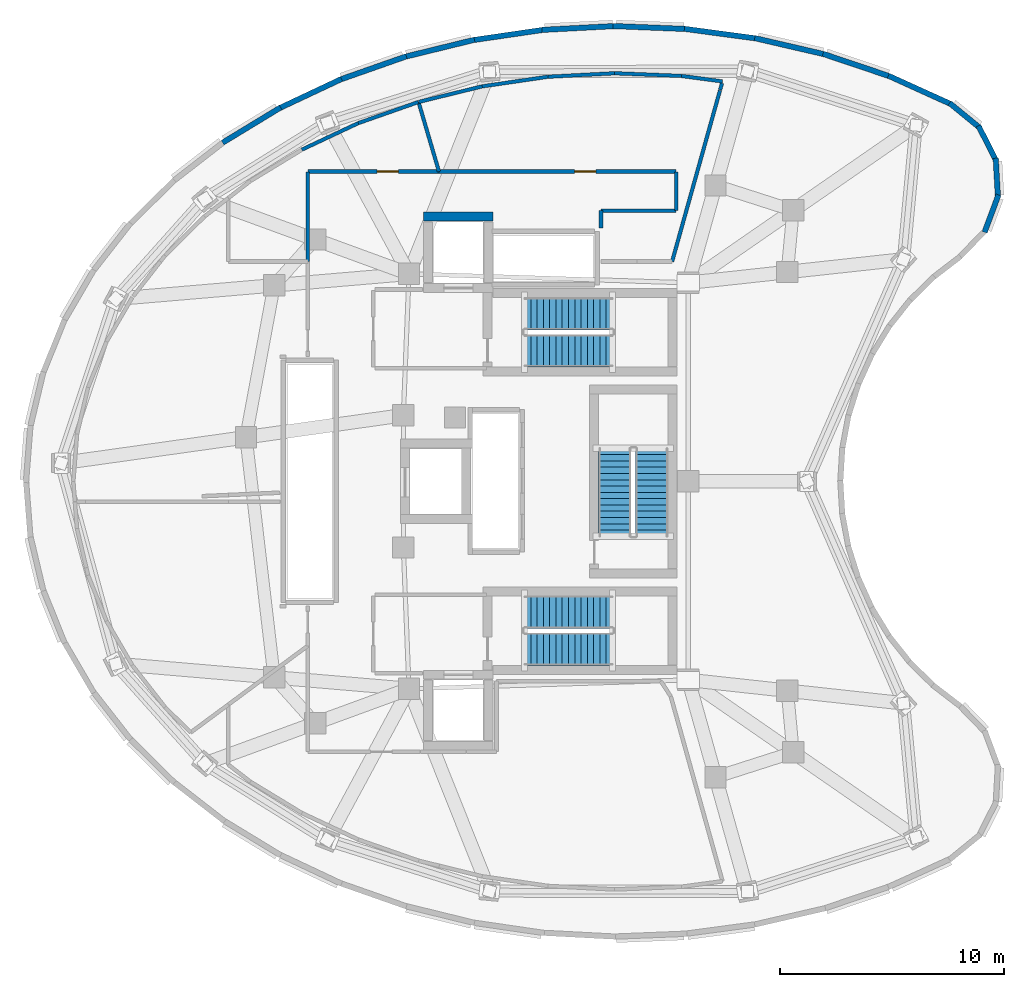
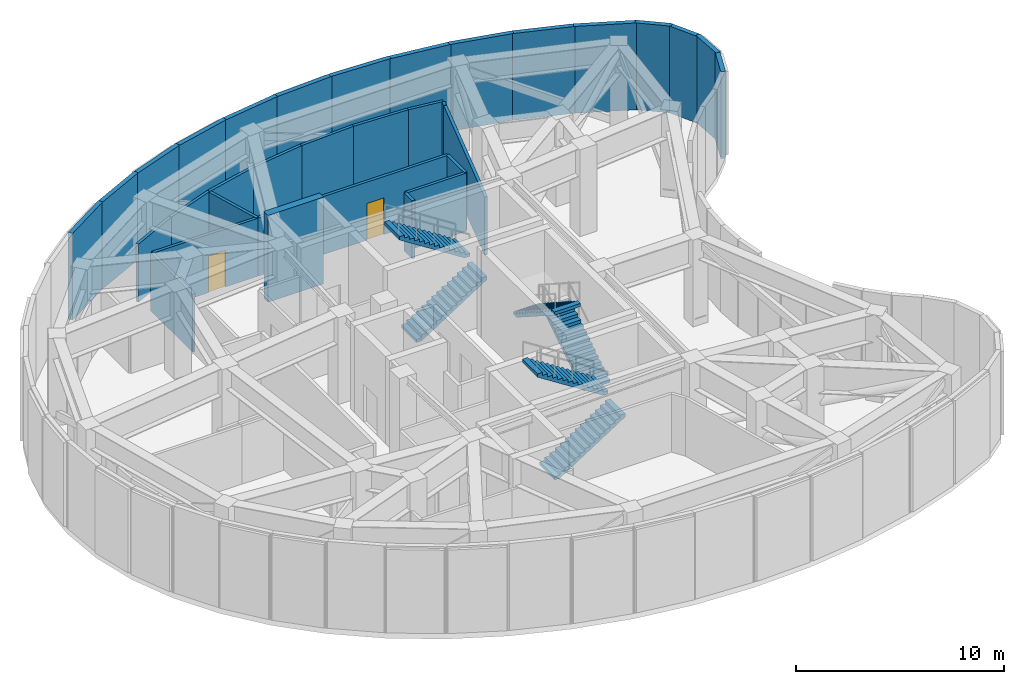
# One storey, part 6 of 9: 32 walls, 6 stair flights, 2 doors, 2 openings, 3 elements without a shape of their own.
"""IFC4 building model written with IfcOpenShell, lengths in metres."""

from ifc_helpers import new_model, si_unit, direction, frame, frame_2d, origin, place, context, subcontext, project, spatial, polyline, rectangle, outline, extrude, material, layer, layer_set, type_object, element, fill, aggregate, save


model = new_model("IFC4")

# Units and contexts
model_context = context("Model", 3, precision=1e-05, world=origin(), true_north=direction((0.0, 1.0)))
body_context = subcontext(model_context, "Body", "Model", "MODEL_VIEW")
ifc_project = project(units=[si_unit("LENGTHUNIT", "METRE"), si_unit("AREAUNIT", "SQUARE_METRE"), si_unit("VOLUMEUNIT", "CUBIC_METRE"), si_unit("PLANEANGLEUNIT", "RADIAN"), si_unit("MASSUNIT", "GRAM", prefix="KILO")], contexts=[model_context])

# Site, building, storey
site_placement = place(None, origin())
site = spatial("IfcSite", under=ifc_project, at=site_placement, CompositionType="ELEMENT")
building_placement = place(site_placement, origin())
building = spatial("IfcBuilding", under=site, at=building_placement, Name="Korentha Bioscience Tower", CompositionType="ELEMENT")
storey_placement = place(building_placement, frame((0.0, 0.0, 277.199951171875)))
storey = spatial("IfcBuildingStorey", under=building, at=storey_placement, Name="L64", CompositionType="ELEMENT", Elevation=277.199951171875)

# Wall, opening, door
ifc_material_1 = material(Name="Gypsum-Clad Steel Stud", Category="steel")
ifc_layer_1 = layer(ifc_material_1, 0.159912109375, Name="Gypsum-Clad Steel Stud")
ifc_layer_set_1 = layer_set([ifc_layer_1], Name="Gypsum-Clad Steel Stud (IW-C160)")
wall_type_1 = type_object("IfcWallType", Name="Fire-Rated Corridor Partition Wall 160", PredefinedType="PARTITIONING", material=ifc_layer_set_1)
wall_1_placement = place(storey_placement, frame((37.0, 40.81005859375, 0.0), z_axis=(0.0, 0.0, 1.0), x_axis=(-1.0, 0.0, 0.0)))
wall_1 = element("IfcWall", 1, at=wall_1_placement, inside=storey, type_object=wall_type_1, Name="L64 Domestic and Fire Booster Water Pump Plant 03 Entrance Wall", PredefinedType="PARTITIONING", context=body_context, shape_type="SweptSolid", body=[
    extrude(rectangle(XDim=10.5625, YDim=0.159912109375, at=frame_2d((5.28125, 0.0))), origin(), (0.0, 0.0, 1.0), 3.41015625),
])
opening_1_placement = place(wall_1_placement, frame((3.570068359375, 0.0, 0.0)))
opening_1 = element("IfcOpeningElement", 2, at=opening_1_placement, cuts=wall_1, Name="Opening FD-120D", PredefinedType="OPENING", context=body_context, shape_type="SweptSolid", body=[
    extrude(rectangle(XDim=0.949951171875, YDim=2.14990234375, at=frame_2d((0.47509765625, 1.074951171875))), frame((0.0, 0.0947265625, 0.0), z_axis=(0.0, -1.0, 0.0), x_axis=(1.0, 0.0, 0.0)), (0.0, 0.0, 1.0), 0.189697265625),
])
ifc_material_2 = material(Name="Heavy-Duty Insulated Steel", Category="steel")
door_type = type_object("IfcDoorType", Name="Plant & Riser Fire Door 950x2150 Left", OperationType="SINGLE_SWING_LEFT", PredefinedType="DOOR", material=ifc_material_2)
door_1_placement = place(opening_1_placement, origin())
door_1 = element("IfcDoor", 3, at=door_1_placement, inside=storey, type_object=door_type, Name="L64 Domestic and Fire Booster Water Pump Plant 03 Door", OperationType="SINGLE_SWING_LEFT", OverallHeight=2.14990234375, OverallWidth=0.949951171875, PredefinedType="DOOR", context=body_context, shape_type="SweptSolid", body=[
    extrude(rectangle(XDim=0.949951171875, YDim=2.14990234375, at=frame_2d((0.47509765625, 1.074951171875))), frame((0.0, 0.02490234375, 0.0), z_axis=(0.0, -1.0, 0.0), x_axis=(1.0, 0.0, 0.0)), (0.0, 0.0, 1.0), 0.050048828125),
])
fill(opening_1, door_1)

wall_2_placement = place(storey_placement, frame((26.42724609375, 40.81005859375, 0.0), z_axis=(0.0, 0.0, 1.0), x_axis=(-1.0, 0.0, 0.0)))
wall_2 = element("IfcWall", 4, at=wall_2_placement, inside=storey, type_object=wall_type_1, Name="L64 Refuge Safe Holding Room Entrance Wall", PredefinedType="PARTITIONING", context=body_context, shape_type="SweptSolid", body=[
    extrude(rectangle(XDim=5.8271484375, YDim=0.159912109375, at=frame_2d((2.91357421875, 0.0))), origin(), (0.0, 0.0, 1.0), 3.41015625),
])
opening_2_placement = place(wall_2_placement, frame((1.797119140625, 0.0, 0.0)))
opening_2 = element("IfcOpeningElement", 5, at=opening_2_placement, cuts=wall_2, Name="Opening FD-120D", PredefinedType="OPENING", context=body_context, shape_type="SweptSolid", body=[
    extrude(rectangle(XDim=0.949951171875, YDim=2.14990234375, at=frame_2d((0.47509765625, 1.074951171875))), frame((0.0, 0.0947265625, 0.0), z_axis=(0.0, -1.0, 0.0), x_axis=(1.0, 0.0, 0.0)), (0.0, 0.0, 1.0), 0.189697265625),
])
door_2_placement = place(opening_2_placement, origin())
door_2 = element("IfcDoor", 6, at=door_2_placement, inside=storey, type_object=door_type, Name="L64 Refuge Safe Holding Room Door", OperationType="SINGLE_SWING_LEFT", OverallHeight=2.14990234375, OverallWidth=0.949951171875, PredefinedType="DOOR", context=body_context, shape_type="SweptSolid", body=[
    extrude(rectangle(XDim=0.949951171875, YDim=2.14990234375, at=frame_2d((0.47509765625, 1.074951171875))), frame((0.0, 0.02490234375, 0.0), z_axis=(0.0, -1.0, 0.0), x_axis=(1.0, 0.0, 0.0)), (0.0, 0.0, 1.0), 0.050048828125),
])
fill(opening_2, door_2)

# Walls
wall_3_placement = place(storey_placement, frame((25.53173828125, 43.913330078125, 0.0), z_axis=(0.0, 0.0, 1.0), x_axis=(0.971298495948, 0.23786389337, 0.0)))
element("IfcWall", 7, at=wall_3_placement, inside=storey, type_object=wall_type_1, Name="L64 Interior Partition 037", PredefinedType="PARTITIONING", context=body_context, shape_type="SweptSolid", body=[
    extrude(rectangle(XDim=2.916015625, YDim=0.159912109375, at=frame_2d((1.4580078125, 0.0))), origin(), (0.0, 0.0, 1.0), 3.41015625),
])
wall_4_placement = place(storey_placement, frame((28.3642578125, 44.60693359375, 0.0), z_axis=(0.0, 0.0, 1.0), x_axis=(0.989458468806, 0.144816913748, 0.0)))
element("IfcWall", 8, at=wall_4_placement, inside=storey, type_object=wall_type_1, Name="L64 Interior Partition 038", PredefinedType="PARTITIONING", context=body_context, shape_type="SweptSolid", body=[
    extrude(rectangle(XDim=2.958740234375, YDim=0.159912109375, at=frame_2d((1.4794921875, 0.0))), origin(), (0.0, 0.0, 1.0), 3.41015625),
])
wall_5_placement = place(storey_placement, frame((31.2919921875, 45.035400390625, 0.0), z_axis=(0.0, 0.0, 1.0), x_axis=(0.998634293536, 0.052245074151, 0.0)))
element("IfcWall", 9, at=wall_5_placement, inside=storey, type_object=wall_type_1, Name="L64 Interior Partition 039", PredefinedType="PARTITIONING", context=body_context, shape_type="SweptSolid", body=[
    extrude(rectangle(XDim=2.9814453125, YDim=0.159912109375, at=frame_2d((1.49072265625, 0.0))), origin(), (0.0, 0.0, 1.0), 3.41015625),
])
wall_6_placement = place(storey_placement, frame((34.269287109375, 45.191162109375, 0.0), z_axis=(0.0, 0.0, 1.0), x_axis=(0.999188752092, -0.040272046042, 0.0)))
element("IfcWall", 10, at=wall_6_placement, inside=storey, type_object=wall_type_1, Name="L64 Interior Partition 040", PredefinedType="PARTITIONING", context=body_context, shape_type="SweptSolid", body=[
    extrude(rectangle(XDim=2.982666015625, YDim=0.159912109375, at=frame_2d((1.4912109375, 0.0))), origin(), (0.0, 0.0, 1.0), 3.41015625),
])
wall_7_placement = place(storey_placement, frame((37.249755859375, 45.07080078125, 0.0), z_axis=(0.0, 0.0, 1.0), x_axis=(0.991157137256, -0.132693365573, 0.0)))
element("IfcWall", 11, at=wall_7_placement, inside=storey, type_object=wall_type_1, Name="L64 Interior Partition 041", PredefinedType="PARTITIONING", context=body_context, shape_type="SweptSolid", body=[
    extrude(rectangle(XDim=1.841796875, YDim=0.159912109375, at=frame_2d((0.9208984375, 0.0))), origin(), (0.0, 0.0, 1.0), 3.41015625),
])
wall_8_placement = place(storey_placement, frame((39.052734375, 44.74560546875, 0.0), z_axis=(0.0, 0.0, 1.0), x_axis=(-0.269862027116, -0.962899001101, 0.0)))
element("IfcWall", 12, at=wall_8_placement, inside=storey, type_object=wall_type_1, Name="L64 Interior Partition 042", PredefinedType="PARTITIONING", context=body_context, shape_type="SweptSolid", body=[
    extrude(rectangle(XDim=0.31201171875, YDim=0.159912109375, at=frame_2d((0.156005859375, 0.0))), origin(), (0.0, 0.0, 1.0), 3.41015625),
])
wall_9_placement = place(storey_placement, frame((38.96240234375, 44.423095703125, 0.0), z_axis=(0.0, 0.0, 1.0), x_axis=(-0.269473155441, -0.963007901575, 0.0)))
element("IfcWall", 13, at=wall_9_placement, inside=storey, type_object=wall_type_1, Name="L64 Interior Partition 043", PredefinedType="PARTITIONING", context=body_context, shape_type="SweptSolid", body=[
    extrude(rectangle(XDim=7.913818359375, YDim=0.159912109375, at=frame_2d((3.95703125, 0.0))), origin(), (0.0, 0.0, 1.0), 3.41015625),
])
wall_10_placement = place(storey_placement, frame((33.659912109375, 38.2900390625, 0.0), z_axis=(0.0, 0.0, 1.0), x_axis=(0.0, 1.0, 0.0)))
element("IfcWall", 14, at=wall_10_placement, inside=storey, type_object=wall_type_1, Name="L64 Interior Partition 046", PredefinedType="PARTITIONING", context=body_context, shape_type="SweptSolid", body=[
    extrude(rectangle(XDim=0.780029296875, YDim=0.159912109375, at=frame_2d((0.39013671875, 0.0))), origin(), (0.0, 0.0, 1.0), 3.41015625),
])
wall_11_placement = place(storey_placement, frame((33.659912109375, 39.070068359375, 0.0), z_axis=(0.0, 0.0, 1.0), x_axis=(1.0, 0.0, 0.0)))
element("IfcWall", 15, at=wall_11_placement, inside=storey, type_object=wall_type_1, Name="L64 Interior Partition 047", PredefinedType="PARTITIONING", context=body_context, shape_type="SweptSolid", body=[
    extrude(rectangle(XDim=3.340087890625, YDim=0.159912109375, at=frame_2d((1.669921875, 0.0))), origin(), (0.0, 0.0, 1.0), 3.41015625),
])
wall_12_placement = place(storey_placement, frame((37.010009765625, 39.080078125, 0.0), z_axis=(0.0, 0.0, 1.0), x_axis=(0.0, 1.0, 0.0)))
element("IfcWall", 16, at=wall_12_placement, inside=storey, type_object=wall_type_1, Name="L64 Interior Partition 048", PredefinedType="PARTITIONING", context=body_context, shape_type="SweptSolid", body=[
    extrude(rectangle(XDim=1.719970703125, YDim=0.159912109375, at=frame_2d((0.85986328125, 0.0))), origin(), (0.0, 0.0, 1.0), 3.41015625),
])
wall_13_placement = place(storey_placement, frame((26.4375, 40.81005859375, 0.0), z_axis=(0.0, 0.0, 1.0), x_axis=(-0.282333978725, 0.959316175438, 0.0)))
element("IfcWall", 17, at=wall_13_placement, inside=storey, type_object=wall_type_1, Name="L64 Interior Partition 049", PredefinedType="PARTITIONING", context=body_context, shape_type="SweptSolid", body=[
    extrude(rectangle(XDim=3.232421875, YDim=0.159912109375, at=frame_2d((1.6162109375, 0.0))), origin(), (0.0, 0.0, 1.0), 3.41015625),
])
wall_14_placement = place(storey_placement, frame((20.32568359375, 41.7861328125, 0.0), z_axis=(0.0, 0.0, 1.0), x_axis=(0.904997973685, 0.425415876087, 0.0)))
element("IfcWall", 18, at=wall_14_placement, inside=storey, type_object=wall_type_1, Name="L64 Interior Partition 050", PredefinedType="PARTITIONING", context=body_context, shape_type="SweptSolid", body=[
    extrude(rectangle(XDim=2.7763671875, YDim=0.159912109375, at=frame_2d((1.38818359375, 0.0))), origin(), (0.0, 0.0, 1.0), 3.41015625),
])
wall_15_placement = place(storey_placement, frame((22.83837890625, 42.96728515625, 0.0), z_axis=(0.0, 0.0, 1.0), x_axis=(0.943475411787, 0.331442524962, 0.0)))
element("IfcWall", 19, at=wall_15_placement, inside=storey, type_object=wall_type_1, Name="L64 Interior Partition 051", PredefinedType="PARTITIONING", context=body_context, shape_type="SweptSolid", body=[
    extrude(rectangle(XDim=2.83740234375, YDim=0.159912109375, at=frame_2d((1.418701171875, 0.0))), origin(), (0.0, 0.0, 1.0), 3.41015625),
])
wall_16_placement = place(storey_placement, frame((20.590087890625, 40.800048828125, 0.0), z_axis=(0.0, 0.0, 1.0), x_axis=(0.0, -1.0, 0.0)))
element("IfcWall", 20, at=wall_16_placement, inside=storey, type_object=wall_type_1, Name="L64 Interior Partition 052", PredefinedType="PARTITIONING", context=body_context, shape_type="SweptSolid", body=[
    extrude(rectangle(XDim=3.998046875, YDim=0.159912109375, at=frame_2d((1.9990234375, 0.0))), origin(), (0.0, 0.0, 1.0), 3.41015625),
])
ifc_material_3 = material(Name="Concrete C65", Category="concrete")
ifc_layer_2 = layer(ifc_material_3, 0.39990234375, Name="Concrete C65")
ifc_layer_set_2 = layer_set([ifc_layer_2], Name="Concrete C65 (CW-C65)")
wall_type_2 = type_object("IfcWallType", Name="Mid-Rise Core Shear Wall 400", PredefinedType="SHEAR", material=ifc_layer_set_2)
wall_17_placement = place(storey_placement, frame((25.75, 38.800048828125, 0.0), z_axis=(0.0, 0.0, 1.0), x_axis=(1.0, 0.0, 0.0)))
element("IfcWall", 21, at=wall_17_placement, inside=storey, type_object=wall_type_2, Name="L64 Core Shear Wall FFL2-N", PredefinedType="SHEAR", context=body_context, shape_type="SweptSolid", body=[
    extrude(rectangle(XDim=3.10009765625, YDim=0.39990234375, at=frame_2d((1.550048828125, 0.0))), origin(), (0.0, 0.0, 1.0), 5.10009765625),
])
ifc_material_4 = material(Name="Insulated Precast Concrete C40", Category="concrete")
ifc_layer_3 = layer(ifc_material_4, 0.239990234375, Name="Insulated Precast Concrete C40")
ifc_layer_set_3 = layer_set([ifc_layer_3], Name="Insulated Precast Concrete C40 (EW-PL240)")
wall_type_3 = type_object("IfcWallType", Name="Plant Acoustic Louvre Backup Wall 240", PredefinedType="STANDARD", material=ifc_layer_set_3)
wall_18_placement = place(storey_placement, frame((49.30615234375, 43.794189453125, 0.0), z_axis=(0.0, 0.0, 1.0), x_axis=(-0.910602355957, 0.413283618507, 0.0)))
element("IfcWall", 22, at=wall_18_placement, inside=storey, type_object=wall_type_3, Name="L64 Plant Louvre Backup Wall 01", PredefinedType="STANDARD", context=body_context, shape_type="SweptSolid", body=[
    extrude(rectangle(XDim=3.1171875, YDim=0.239990234375, at=frame_2d((1.55859375, 0.0))), origin(), (0.0, 0.0, 1.0), 5.10009765625),
])
wall_19_placement = place(storey_placement, frame((46.57177734375, 45.041259765625, 0.0), z_axis=(0.0, 0.0, 1.0), x_axis=(-0.947650735005, 0.319308760363, 0.0)))
element("IfcWall", 23, at=wall_19_placement, inside=storey, type_object=wall_type_3, Name="L64 Plant Louvre Backup Wall 02", PredefinedType="STANDARD", context=body_context, shape_type="SweptSolid", body=[
    extrude(rectangle(XDim=3.183837890625, YDim=0.239990234375, at=frame_2d((1.591796875, 0.0))), origin(), (0.0, 0.0, 1.0), 5.10009765625),
])
wall_20_placement = place(storey_placement, frame((43.662109375, 46.027587890625, 0.0), z_axis=(0.0, 0.0, 1.0), x_axis=(-0.974187340975, 0.225741056707, 0.0)))
element("IfcWall", 24, at=wall_20_placement, inside=storey, type_object=wall_type_3, Name="L64 Plant Louvre Backup Wall 03", PredefinedType="STANDARD", context=body_context, shape_type="SweptSolid", body=[
    extrude(rectangle(XDim=3.23583984375, YDim=0.239990234375, at=frame_2d((1.617919921875, 0.0))), origin(), (0.0, 0.0, 1.0), 5.10009765625),
])
wall_21_placement = place(storey_placement, frame((40.619140625, 46.738037109375, 0.0), z_axis=(0.0, 0.0, 1.0), x_axis=(-0.991137726176, 0.13283827668, 0.0)))
element("IfcWall", 25, at=wall_21_placement, inside=storey, type_object=wall_type_3, Name="L64 Plant Louvre Backup Wall 04", PredefinedType="STANDARD", context=body_context, shape_type="SweptSolid", body=[
    extrude(rectangle(XDim=3.271484375, YDim=0.239990234375, at=frame_2d((1.6357421875, 0.0))), origin(), (0.0, 0.0, 1.0), 5.10009765625),
])
wall_22_placement = place(storey_placement, frame((37.4873046875, 47.1630859375, 0.0), z_axis=(0.0, 0.0, 1.0), x_axis=(-0.999190250472, 0.040234852582, 0.0)))
element("IfcWall", 26, at=wall_22_placement, inside=storey, type_object=wall_type_3, Name="L64 Plant Louvre Backup Wall 05", PredefinedType="STANDARD", context=body_context, shape_type="SweptSolid", body=[
    extrude(rectangle(XDim=3.288818359375, YDim=0.239990234375, at=frame_2d((1.64453125, 0.0))), origin(), (0.0, 0.0, 1.0), 5.10009765625),
])
wall_23_placement = place(storey_placement, frame((34.312255859375, 47.296142578125, 0.0), z_axis=(0.0, 0.0, 1.0), x_axis=(-0.998636433691, -0.052204150274, 0.0)))
element("IfcWall", 27, at=wall_23_placement, inside=storey, type_object=wall_type_3, Name="L64 Plant Louvre Backup Wall 06", PredefinedType="STANDARD", context=body_context, shape_type="SweptSolid", body=[
    extrude(rectangle(XDim=3.28759765625, YDim=0.239990234375, at=frame_2d((1.643798828125, 0.0))), origin(), (0.0, 0.0, 1.0), 5.10009765625),
])
wall_24_placement = place(storey_placement, frame((31.139404296875, 47.135498046875, 0.0), z_axis=(0.0, 0.0, 1.0), x_axis=(-0.989461064134, -0.144799180117, 0.0)))
element("IfcWall", 28, at=wall_24_placement, inside=storey, type_object=wall_type_3, Name="L64 Plant Louvre Backup Wall 07", PredefinedType="STANDARD", context=body_context, shape_type="SweptSolid", body=[
    extrude(rectangle(XDim=3.267578125, YDim=0.239990234375, at=frame_2d((1.6337890625, 0.0))), origin(), (0.0, 0.0, 1.0), 5.10009765625),
])
wall_25_placement = place(storey_placement, frame((28.015380859375, 46.68359375, 0.0), z_axis=(0.0, 0.0, 1.0), x_axis=(-0.971313704184, -0.237801783141, 0.0)))
element("IfcWall", 29, at=wall_25_placement, inside=storey, type_object=wall_type_3, Name="L64 Plant Louvre Backup Wall 08", PredefinedType="STANDARD", context=body_context, shape_type="SweptSolid", body=[
    extrude(rectangle(XDim=3.22998046875, YDim=0.239990234375, at=frame_2d((1.614990234375, 0.0))), origin(), (0.0, 0.0, 1.0), 5.10009765625),
])
wall_26_placement = place(storey_placement, frame((24.985107421875, 45.947265625, 0.0), z_axis=(0.0, 0.0, 1.0), x_axis=(-0.943487427594, -0.331408319104, 0.0)))
element("IfcWall", 30, at=wall_26_placement, inside=storey, type_object=wall_type_3, Name="L64 Plant Louvre Backup Wall 09", PredefinedType="STANDARD", context=body_context, shape_type="SweptSolid", body=[
    extrude(rectangle(XDim=3.17578125, YDim=0.239990234375, at=frame_2d((1.587890625, 0.0))), origin(), (0.0, 0.0, 1.0), 5.10009765625),
])
wall_27_placement = place(storey_placement, frame((22.09228515625, 44.937255859375, 0.0), z_axis=(0.0, 0.0, 1.0), x_axis=(-0.904975309641, -0.425464086546, 0.0)))
element("IfcWall", 31, at=wall_27_placement, inside=storey, type_object=wall_type_3, Name="L64 Plant Louvre Backup Wall 10", PredefinedType="STANDARD", context=body_context, shape_type="SweptSolid", body=[
    extrude(rectangle(XDim=3.10791015625, YDim=0.239990234375, at=frame_2d((1.553955078125, 0.0))), origin(), (0.0, 0.0, 1.0), 5.10009765625),
])
wall_28_placement = place(storey_placement, frame((19.379150390625, 43.668212890625, 0.0), z_axis=(0.0, 0.0, 1.0), x_axis=(-0.854534567694, -0.519394525016, 0.0)))
element("IfcWall", 32, at=wall_28_placement, inside=storey, type_object=wall_type_3, Name="L64 Plant Louvre Backup Wall 11", PredefinedType="STANDARD", context=body_context, shape_type="SweptSolid", body=[
    extrude(rectangle(XDim=3.029052734375, YDim=0.239990234375, at=frame_2d((1.5146484375, 0.0))), origin(), (0.0, 0.0, 1.0), 5.10009765625),
])
wall_29_placement = place(storey_placement, frame((50.755859375, 38.1015625, 0.0), z_axis=(0.0, 0.0, 1.0), x_axis=(0.349005210655, 0.937120783536, 0.0)))
element("IfcWall", 33, at=wall_29_placement, inside=storey, type_object=wall_type_3, Name="L64 Plant Louvre Backup Wall 59", PredefinedType="STANDARD", context=body_context, shape_type="SweptSolid", body=[
    extrude(rectangle(XDim=1.78173828125, YDim=0.239990234375, at=frame_2d((0.890869140625, 0.0))), origin(), (0.0, 0.0, 1.0), 5.10009765625),
])
for number, where, z_axis, x_axis, name in (
    (34, (51.355712890625, 39.625732421875, 0.0), (0.0, 0.0, 1.0), (-0.05742054677, 0.998350079285, 0.0), "L64 Plant Louvre Backup Wall 60"),
    (35, (51.291748046875, 41.262451171875, 0.0), (0.0, 0.0, 1.0), (-0.45416185355, 0.890919194305, 0.0), "L64 Plant Louvre Backup Wall 61"),
):
    element("IfcWall", number, at=place(storey_placement, frame(where, z_axis=z_axis, x_axis=x_axis)), inside=storey, type_object=wall_type_3, Name=name, PredefinedType="STANDARD", context=body_context, shape_type="SweptSolid", body=[
        extrude(rectangle(XDim=1.781494140625, YDim=0.239990234375, at=frame_2d((0.890625, 0.0))), origin(), (0.0, 0.0, 1.0), 5.10009765625),
    ])
wall_30_placement = place(storey_placement, frame((50.574951171875, 42.735107421875, 0.0), z_axis=(0.0, 0.0, 1.0), x_axis=(-0.774207552051, 0.632931802288, 0.0)))
element("IfcWall", 36, at=wall_30_placement, inside=storey, type_object=wall_type_3, Name="L64 Plant Louvre Backup Wall 62", PredefinedType="STANDARD", context=body_context, shape_type="SweptSolid", body=[
    extrude(rectangle(XDim=1.78173828125, YDim=0.239990234375, at=frame_2d((0.890869140625, 0.0))), origin(), (0.0, 0.0, 1.0), 5.10009765625),
])

# Stair, stair flights
ifc_material_5 = material(Name="Precast Concrete C50", Category="concrete")
stair_type = type_object("IfcStairType", Name="Core Exit Dog-Leg Stair 1450", PredefinedType="HALF_TURN_STAIR", material=ifc_material_5)
stair_1_placement = place(storey_placement, origin())
stair_1 = element("IfcStair", 37, at=stair_1_placement, inside=storey, type_object=stair_type, Name="L64 Tower North Pressurized Exit Stair ST-1", PredefinedType="HALF_TURN_STAIR")
stair_flight_type = type_object("IfcStairFlightType", Name="Core Exit Dog-Leg Stair 1450 Flight", PredefinedType="STRAIGHT", material=ifc_material_5)
stair_flight_1_placement = place(storey_placement, frame((30.25, 32.824951171875, 0.0), z_axis=(0.0, 0.0, 1.0), x_axis=(1.0, 0.0, 0.0)))
stair_flight_1 = element("IfcStairFlight", 38, at=stair_flight_1_placement, type_object=stair_flight_type, Name="ST-1 flight 1", NumberOfRisers=15, NumberOfTreads=14, PredefinedType="STRAIGHT", RiserHeight=0.18, TreadLength=0.28, context=body_context, shape_type="SweptSolid", body=[
    extrude(outline(polyline([(0.0, 0.0), (0.0, 0.179931640625), (0.280029296875, 0.179931640625), (0.280029296875, 0.360107421875), (0.56005859375, 0.360107421875), (0.56005859375, 0.5400390625), (0.840087890625, 0.5400390625), (0.840087890625, 0.719970703125), (1.1201171875, 0.719970703125), (1.1201171875, 0.89990234375), (1.39990234375, 0.89990234375), (1.39990234375, 1.080078125), (1.679931640625, 1.080078125), (1.679931640625, 1.260009765625), (1.9599609375, 1.260009765625), (1.9599609375, 1.43994140625), (2.239990234375, 1.43994140625), (2.239990234375, 1.6201171875), (2.52001953125, 1.6201171875), (2.52001953125, 1.800048828125), (2.800048828125, 1.800048828125), (2.800048828125, 1.97998046875), (3.080078125, 1.97998046875), (3.080078125, 2.159912109375), (3.360107421875, 2.159912109375), (3.360107421875, 2.340087890625), (3.639892578125, 2.340087890625), (3.639892578125, 2.52001953125), (3.919921875, 2.52001953125), (3.919921875, 2.699951171875), (3.919921875, 2.329833984375), (0.295654296875, 0.0), (0.0, 0.0)])), frame((0.0, 0.72509765625, 0.0), z_axis=(0.0, -1.0, 0.0), x_axis=(1.0, 0.0, 0.0)), (0.0, 0.0, 1.0), 1.449951171875),
])
stair_flight_2_placement = place(storey_placement, frame((34.169921875, 34.47509765625, 2.699951171875), z_axis=(0.0, 0.0, 1.0), x_axis=(-1.0, 0.0, 0.0)))
stair_flight_2 = element("IfcStairFlight", 39, at=stair_flight_2_placement, type_object=stair_flight_type, Name="ST-1 flight 2", NumberOfRisers=15, NumberOfTreads=14, PredefinedType="STRAIGHT", RiserHeight=0.18, TreadLength=0.28, context=body_context, shape_type="SweptSolid", body=[
    extrude(outline(polyline([(0.0, 0.0), (0.0, 0.179931640625), (0.280029296875, 0.179931640625), (0.280029296875, 0.360107421875), (0.56005859375, 0.360107421875), (0.56005859375, 0.5400390625), (0.840087890625, 0.5400390625), (0.840087890625, 0.719970703125), (1.1201171875, 0.719970703125), (1.1201171875, 0.89990234375), (1.39990234375, 0.89990234375), (1.39990234375, 1.080078125), (1.679931640625, 1.080078125), (1.679931640625, 1.260009765625), (1.9599609375, 1.260009765625), (1.9599609375, 1.43994140625), (2.239990234375, 1.43994140625), (2.239990234375, 1.6201171875), (2.52001953125, 1.6201171875), (2.52001953125, 1.800048828125), (2.800048828125, 1.800048828125), (2.800048828125, 1.97998046875), (3.080078125, 1.97998046875), (3.080078125, 2.159912109375), (3.360107421875, 2.159912109375), (3.360107421875, 2.340087890625), (3.639892578125, 2.340087890625), (3.639892578125, 2.52001953125), (3.919921875, 2.52001953125), (3.919921875, 2.699951171875), (3.919921875, 2.329833984375), (0.295654296875, 0.0), (0.0, 0.0)])), frame((0.0, 0.72509765625, 0.0), z_axis=(0.0, -1.0, 0.0), x_axis=(1.0, 0.0, 0.0)), (0.0, 0.0, 1.0), 1.449951171875),
])
aggregate(stair_1, [stair_flight_1, stair_flight_2])

stair_2_placement = place(storey_placement, origin())
stair_2 = element("IfcStair", 40, at=stair_2_placement, inside=storey, type_object=stair_type, Name="L64 Tower South Pressurized Exit Stair ST-2", PredefinedType="HALF_TURN_STAIR")
stair_flight_3_placement = place(storey_placement, frame((30.25, 19.52490234375, 0.0), z_axis=(0.0, 0.0, 1.0), x_axis=(1.0, 0.0, 0.0)))
stair_flight_3 = element("IfcStairFlight", 41, at=stair_flight_3_placement, type_object=stair_flight_type, Name="ST-2 flight 1", NumberOfRisers=15, NumberOfTreads=14, PredefinedType="STRAIGHT", RiserHeight=0.18, TreadLength=0.28, context=body_context, shape_type="SweptSolid", body=[
    extrude(outline(polyline([(0.0, 0.0), (0.0, 0.179931640625), (0.280029296875, 0.179931640625), (0.280029296875, 0.360107421875), (0.56005859375, 0.360107421875), (0.56005859375, 0.5400390625), (0.840087890625, 0.5400390625), (0.840087890625, 0.719970703125), (1.1201171875, 0.719970703125), (1.1201171875, 0.89990234375), (1.39990234375, 0.89990234375), (1.39990234375, 1.080078125), (1.679931640625, 1.080078125), (1.679931640625, 1.260009765625), (1.9599609375, 1.260009765625), (1.9599609375, 1.43994140625), (2.239990234375, 1.43994140625), (2.239990234375, 1.6201171875), (2.52001953125, 1.6201171875), (2.52001953125, 1.800048828125), (2.800048828125, 1.800048828125), (2.800048828125, 1.97998046875), (3.080078125, 1.97998046875), (3.080078125, 2.159912109375), (3.360107421875, 2.159912109375), (3.360107421875, 2.340087890625), (3.639892578125, 2.340087890625), (3.639892578125, 2.52001953125), (3.919921875, 2.52001953125), (3.919921875, 2.699951171875), (3.919921875, 2.329833984375), (0.295654296875, 0.0), (0.0, 0.0)])), frame((0.0, 0.72509765625, 0.0), z_axis=(0.0, -1.0, 0.0), x_axis=(1.0, 0.0, 0.0)), (0.0, 0.0, 1.0), 1.449951171875),
])
stair_flight_4_placement = place(storey_placement, frame((34.169921875, 21.175048828125, 2.699951171875), z_axis=(0.0, 0.0, 1.0), x_axis=(-1.0, 0.0, 0.0)))
stair_flight_4 = element("IfcStairFlight", 42, at=stair_flight_4_placement, type_object=stair_flight_type, Name="ST-2 flight 2", NumberOfRisers=15, NumberOfTreads=14, PredefinedType="STRAIGHT", RiserHeight=0.18, TreadLength=0.28, context=body_context, shape_type="SweptSolid", body=[
    extrude(outline(polyline([(0.0, 0.0), (0.0, 0.179931640625), (0.280029296875, 0.179931640625), (0.280029296875, 0.360107421875), (0.56005859375, 0.360107421875), (0.56005859375, 0.5400390625), (0.840087890625, 0.5400390625), (0.840087890625, 0.719970703125), (1.1201171875, 0.719970703125), (1.1201171875, 0.89990234375), (1.39990234375, 0.89990234375), (1.39990234375, 1.080078125), (1.679931640625, 1.080078125), (1.679931640625, 1.260009765625), (1.9599609375, 1.260009765625), (1.9599609375, 1.43994140625), (2.239990234375, 1.43994140625), (2.239990234375, 1.6201171875), (2.52001953125, 1.6201171875), (2.52001953125, 1.800048828125), (2.800048828125, 1.800048828125), (2.800048828125, 1.97998046875), (3.080078125, 1.97998046875), (3.080078125, 2.159912109375), (3.360107421875, 2.159912109375), (3.360107421875, 2.340087890625), (3.639892578125, 2.340087890625), (3.639892578125, 2.52001953125), (3.919921875, 2.52001953125), (3.919921875, 2.699951171875), (3.919921875, 2.329833984375), (0.295654296875, 0.0), (0.0, 0.0)])), frame((0.0, 0.72509765625, 0.0), z_axis=(0.0, -1.0, 0.0), x_axis=(1.0, 0.0, 0.0)), (0.0, 0.0, 1.0), 1.449951171875),
])
aggregate(stair_2, [stair_flight_3, stair_flight_4])

stair_3_placement = place(storey_placement, origin())
stair_3 = element("IfcStair", 43, at=stair_3_placement, inside=storey, type_object=stair_type, Name="L64 Tower Central Pressurized Exit Stair ST-3", PredefinedType="HALF_TURN_STAIR")
stair_flight_5_placement = place(storey_placement, frame((35.925048828125, 24.550048828125, 0.0), z_axis=(0.0, 0.0, 1.0), x_axis=(0.0, 1.0, 0.0)))
stair_flight_5 = element("IfcStairFlight", 44, at=stair_flight_5_placement, type_object=stair_flight_type, Name="ST-3 flight 1", NumberOfRisers=15, NumberOfTreads=14, PredefinedType="STRAIGHT", RiserHeight=0.18, TreadLength=0.28, context=body_context, shape_type="SweptSolid", body=[
    extrude(outline(polyline([(0.0, 0.0), (0.0, 0.179931640625), (0.280029296875, 0.179931640625), (0.280029296875, 0.360107421875), (0.56005859375, 0.360107421875), (0.56005859375, 0.5400390625), (0.840087890625, 0.5400390625), (0.840087890625, 0.719970703125), (1.1201171875, 0.719970703125), (1.1201171875, 0.89990234375), (1.39990234375, 0.89990234375), (1.39990234375, 1.080078125), (1.679931640625, 1.080078125), (1.679931640625, 1.260009765625), (1.9599609375, 1.260009765625), (1.9599609375, 1.43994140625), (2.239990234375, 1.43994140625), (2.239990234375, 1.6201171875), (2.52001953125, 1.6201171875), (2.52001953125, 1.800048828125), (2.800048828125, 1.800048828125), (2.800048828125, 1.97998046875), (3.080078125, 1.97998046875), (3.080078125, 2.159912109375), (3.360107421875, 2.159912109375), (3.360107421875, 2.340087890625), (3.639892578125, 2.340087890625), (3.639892578125, 2.52001953125), (3.919921875, 2.52001953125), (3.919921875, 2.699951171875), (3.919921875, 2.329833984375), (0.295654296875, 0.0), (0.0, 0.0)])), frame((0.0, 0.72509765625, 0.0), z_axis=(0.0, -1.0, 0.0), x_axis=(1.0, 0.0, 0.0)), (0.0, 0.0, 1.0), 1.449951171875),
])
stair_flight_6_placement = place(storey_placement, frame((34.27490234375, 28.469970703125, 2.699951171875), z_axis=(0.0, 0.0, 1.0), x_axis=(0.0, -1.0, 0.0)))
stair_flight_6 = element("IfcStairFlight", 45, at=stair_flight_6_placement, type_object=stair_flight_type, Name="ST-3 flight 2", NumberOfRisers=15, NumberOfTreads=14, PredefinedType="STRAIGHT", RiserHeight=0.18, TreadLength=0.28, context=body_context, shape_type="SweptSolid", body=[
    extrude(outline(polyline([(0.0, 0.0), (0.0, 0.179931640625), (0.280029296875, 0.179931640625), (0.280029296875, 0.360107421875), (0.56005859375, 0.360107421875), (0.56005859375, 0.5400390625), (0.840087890625, 0.5400390625), (0.840087890625, 0.719970703125), (1.1201171875, 0.719970703125), (1.1201171875, 0.89990234375), (1.39990234375, 0.89990234375), (1.39990234375, 1.080078125), (1.679931640625, 1.080078125), (1.679931640625, 1.260009765625), (1.9599609375, 1.260009765625), (1.9599609375, 1.43994140625), (2.239990234375, 1.43994140625), (2.239990234375, 1.6201171875), (2.52001953125, 1.6201171875), (2.52001953125, 1.800048828125), (2.800048828125, 1.800048828125), (2.800048828125, 1.97998046875), (3.080078125, 1.97998046875), (3.080078125, 2.159912109375), (3.360107421875, 2.159912109375), (3.360107421875, 2.340087890625), (3.639892578125, 2.340087890625), (3.639892578125, 2.52001953125), (3.919921875, 2.52001953125), (3.919921875, 2.699951171875), (3.919921875, 2.329833984375), (0.295654296875, 0.0), (0.0, 0.0)])), frame((0.0, 0.72509765625, 0.0), z_axis=(0.0, -1.0, 0.0), x_axis=(1.0, 0.0, 0.0)), (0.0, 0.0, 1.0), 1.449951171875),
])
aggregate(stair_3, [stair_flight_5, stair_flight_6])

save(model, "model.ifc")
